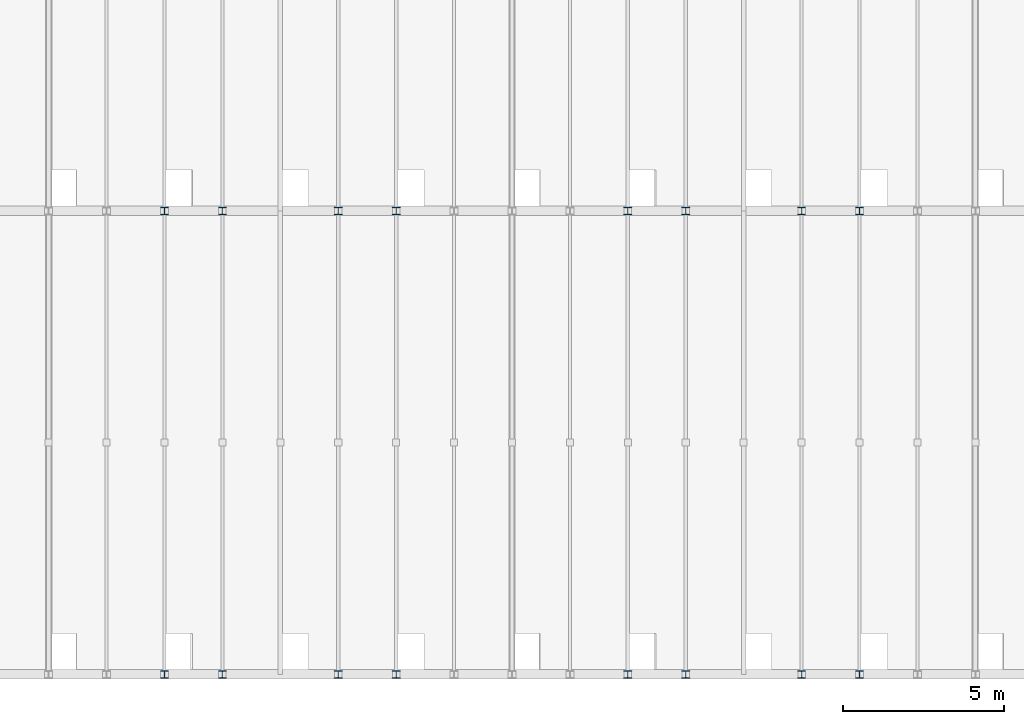
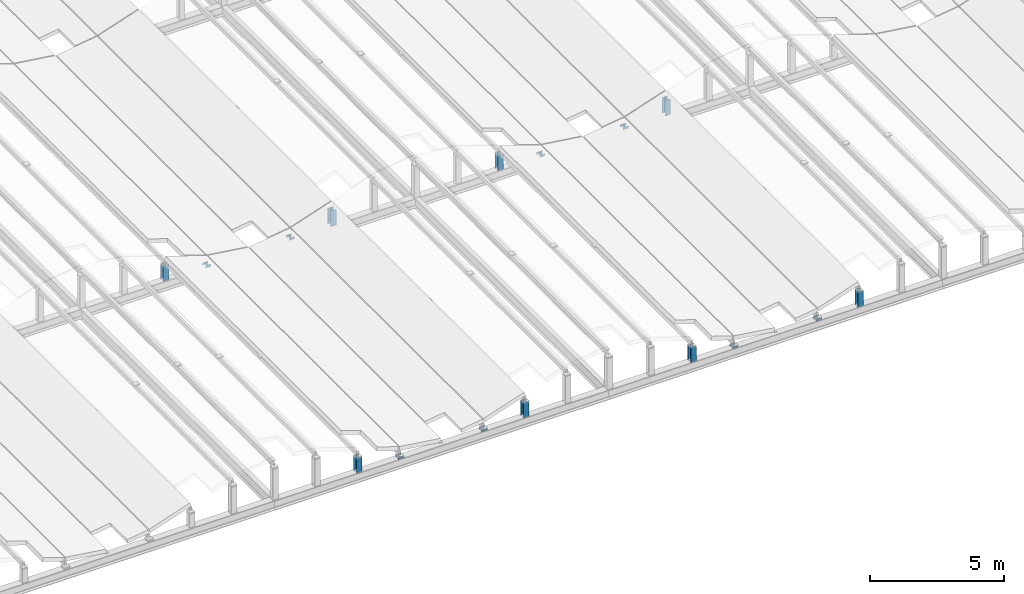
# One storey, part 44 of 83: 16 members.
"""IFC4 building model written with IfcOpenShell, lengths in metres."""

import ifcopenshell
import ifcopenshell.guid

model = None  # the IFC model being written
_history = None  # IfcOwnerHistory: only IFC2X3 demands one
_inside = {}  # id of a spatial element -> (the spatial element, [elements in it])
_under = {}  # id of a project, library or spatial element -> (it, [spatial elements below it])
_declared = {}  # id of a project -> (the project, [libraries it declares])
_typed = {}  # id of a type object -> (the type object, [elements of that type])
_made_of = {}  # id of a material, layer set ... -> (it, [elements and type objects made of it])


def new_model(schema):
    """Start an empty IFC model of exactly this schema.

    Asked for "IFC4X3", IfcOpenShell would pick the latest addendum, in which some entities
    have other attributes; the version numbers below select the first issue.
    IFC2X3 requires an IfcOwnerHistory on every rooted entity: one is made here for all.
    """
    global model, _history
    if schema == "IFC4X3":
        model = ifcopenshell.file(schema_version=(4, 3, 0, 0))
    else:
        model = ifcopenshell.file(schema=schema)
    _inside.clear()
    _under.clear()
    _declared.clear()
    _typed.clear()
    _made_of.clear()
    _history = None
    if model.schema == "IFC2X3":
        org = make("IfcOrganization", Name="unknown")
        user = make(
            "IfcPersonAndOrganization",
            ThePerson=make("IfcPerson", FamilyName="unknown"),
            TheOrganization=org,
        )
        app = make(
            "IfcApplication",
            ApplicationDeveloper=org,
            Version="unknown",
            ApplicationFullName="unknown",
            ApplicationIdentifier="unknown",
        )
        _history = make(
            "IfcOwnerHistory",
            OwningUser=user,
            OwningApplication=app,
            ChangeAction="ADDED",
            CreationDate=0,
        )
    return model


def make(cls, **values):
    """One entity of the class cls with the attributes given. An attribute that is None is left unset."""
    return model.create_entity(
        cls, **{name: value for name, value in values.items() if value is not None}
    )


def rooted(cls, **values):
    """An entity with a GlobalId (a new one), such as an element, a storey or a relation."""
    return make(cls, GlobalId=ifcopenshell.guid.new(), OwnerHistory=_history, **values)


def si_unit(unit_type, name, prefix=None):
    """IfcSIUnit, for example si_unit("LENGTHUNIT", "METRE", prefix="MILLI")."""
    return make("IfcSIUnit", UnitType=unit_type, Prefix=prefix, Name=name)


def assignment(units):
    """IfcUnitAssignment: the units of a project."""
    return None if units is None else make("IfcUnitAssignment", Units=units)


def point(xyz):
    """IfcCartesianPoint."""
    return None if xyz is None else make("IfcCartesianPoint", Coordinates=xyz)


def direction(xyz):
    """IfcDirection."""
    return None if xyz is None else make("IfcDirection", DirectionRatios=xyz)


def frame(location, z_axis=None, x_axis=None):
    """IfcAxis2Placement3D, a coordinate frame: its origin and axes. An axis left out is left unset."""
    return make(
        "IfcAxis2Placement3D",
        Location=point(location),
        Axis=direction(z_axis),
        RefDirection=direction(x_axis),
    )


def frame_2d(location, x_axis=None):
    """IfcAxis2Placement2D, a coordinate frame in the plane: its origin and x axis."""
    return make(
        "IfcAxis2Placement2D", Location=point(location), RefDirection=direction(x_axis)
    )


def origin():
    """The frame at (0, 0, 0) with its axes left unset."""
    return frame((0.0, 0.0, 0.0))


def origin_2d():
    """The frame at (0, 0) in the plane with its x axis left unset."""
    return frame_2d((0.0, 0.0))


def place(relative_to, where):
    """IfcLocalPlacement: puts the frame where relative to a parent placement (None: the world)."""
    return make(
        "IfcLocalPlacement", PlacementRelTo=relative_to, RelativePlacement=where
    )


def context(
    kind, dimensions, precision=None, world=None, true_north=None, identifier=None
):
    """IfcGeometricRepresentationContext, for example the 3D "Model" context."""
    return make(
        "IfcGeometricRepresentationContext",
        ContextIdentifier=identifier,
        ContextType=kind,
        CoordinateSpaceDimension=dimensions,
        Precision=precision,
        WorldCoordinateSystem=world,
        TrueNorth=true_north,
    )


def subcontext(parent, identifier, kind, view, scale=None):
    """IfcGeometricRepresentationSubContext, for example "Body" below "Model"."""
    return make(
        "IfcGeometricRepresentationSubContext",
        ContextIdentifier=identifier,
        ContextType=kind,
        ParentContext=parent,
        TargetScale=scale,
        TargetView=view,
    )


def project(units=None, contexts=None):
    """IfcProject with its units and contexts."""
    return rooted(
        "IfcProject",
        Name="project",
        RepresentationContexts=contexts,
        UnitsInContext=assignment(units),
    )


def spatial(cls, under=None, at=None, **own):
    """A site, building, storey or space (cls), placed at a placement, below another one or the project."""
    s = rooted(cls, ObjectPlacement=at, **own)
    if under is not None:
        _under.setdefault(under.id(), (under, []))[1].append(s)
    return s


def profile(cls, at=None, kind="AREA", **sizes):
    """A parametric profile (cls). Its sizes go by their IFC names, for example OverallWidth=200.0."""
    return make(cls, ProfileType=kind, Position=at, **sizes)


def i_section(**sizes):
    """IfcIShapeProfileDef."""
    return profile("IfcIShapeProfileDef", **sizes)


def extrude(swept, where, along, depth):
    """IfcExtrudedAreaSolid: the profile swept, set in the frame where, extruded along a direction by depth."""
    return make(
        "IfcExtrudedAreaSolid",
        SweptArea=swept,
        Position=where,
        ExtrudedDirection=direction(along),
        Depth=depth,
    )


def shape(context_of_items, identifier, shape_type, items):
    """IfcShapeRepresentation: the items that make up one representation, for example the "Body"."""
    return make(
        "IfcShapeRepresentation",
        ContextOfItems=context_of_items,
        RepresentationIdentifier=identifier,
        RepresentationType=shape_type,
        Items=items,
    )


def material(Name=None, Category=None):
    """IfcMaterial."""
    return make("IfcMaterial", Name=Name, Category=Category)


def material_profile(
    of_material, cross_section, Name=None, Category=None, Priority=None
):
    """IfcMaterialProfile: a cross section and its material."""
    return make(
        "IfcMaterialProfile",
        Name=Name,
        Material=of_material,
        Profile=cross_section,
        Priority=Priority,
        Category=Category,
    )


def profile_set(profiles, Name=None, composite=None):
    """IfcMaterialProfileSet."""
    return make(
        "IfcMaterialProfileSet",
        Name=Name,
        MaterialProfiles=profiles,
        CompositeProfile=composite,
    )


def made_of(thing, what):
    """Note that an element or type object is made of a material, layer set ...; save() writes the relation."""
    if what is not None:
        _made_of.setdefault(what.id(), (what, []))[1].append(thing)
    return thing


def type_object(cls, material=None, **own):
    """A type object (cls), such as IfcWallType, which elements share."""
    return made_of(rooted(cls, **own), material)


def element(
    cls,
    number,
    at=None,
    inside=None,
    cuts=None,
    type_object=None,
    material=None,
    context=None,
    identifier="Body",
    shape_type=None,
    held_by="IfcProductDefinitionShape",
    body=None,
    shapes=None,
    **own,
):
    """One element of the class cls, such as IfcWall. Its Tag is "e" and its number.

    at: its placement. inside: the storey or other place that contains it. cuts: it is an
    opening in that element (IfcRelVoidsElement). A single representation is given by context,
    identifier, shape_type and body (its items); several are given by shapes. held_by: the class
    of the entity that holds the representations. save() writes the other relations.
    """
    e = rooted(cls, Tag="e%d" % number, ObjectPlacement=at, **own)
    if body is not None:
        shapes = [shape(context, identifier, shape_type, body)]
    if shapes is not None:
        e.Representation = make(held_by, Representations=shapes)
    if inside is not None:
        _inside.setdefault(inside.id(), (inside, []))[1].append(e)
    if cuts is not None:
        rooted(
            "IfcRelVoidsElement", RelatingBuildingElement=cuts, RelatedOpeningElement=e
        )
    if type_object is not None:
        _typed.setdefault(type_object.id(), (type_object, []))[1].append(e)
    return made_of(e, material)


def aggregate(whole, parts):
    """IfcRelAggregates: a whole, such as a stair, and the parts it consists of."""
    return rooted("IfcRelAggregates", RelatingObject=whole, RelatedObjects=parts)


def save(model, path):
    """Write the relations noted so far, then the file.

    IfcRelAggregates (storeys below a building ...), IfcRelContainedInSpatialStructure (elements
    in a storey), IfcRelDefinesByType, IfcRelAssociatesMaterial and IfcRelDeclares: one each for
    every whole, place, type object, material and project.
    """
    for whole, parts in _under.values():
        aggregate(whole, parts)
    for where, things in _inside.values():
        rooted(
            "IfcRelContainedInSpatialStructure",
            RelatedElements=things,
            RelatingStructure=where,
        )
    for kind, things in _typed.values():
        rooted("IfcRelDefinesByType", RelatedObjects=things, RelatingType=kind)
    for what, things in _made_of.values():
        rooted("IfcRelAssociatesMaterial", RelatedObjects=things, RelatingMaterial=what)
    for by, libraries in _declared.values():
        rooted("IfcRelDeclares", RelatingContext=by, RelatedDefinitions=libraries)
    model.write(path)


model = new_model("IFC4")

# Units and contexts
model_context = context("Model", 3, precision=1e-05, world=origin(), true_north=direction((0.0, 1.0)))
body_context = subcontext(model_context, "Body", "Model", "MODEL_VIEW")
ifc_project = project(units=[si_unit("LENGTHUNIT", "METRE"), si_unit("AREAUNIT", "SQUARE_METRE"), si_unit("VOLUMEUNIT", "CUBIC_METRE"), si_unit("PLANEANGLEUNIT", "RADIAN"), si_unit("MASSUNIT", "GRAM", prefix="KILO")], contexts=[model_context])

# Site, building, storey
site_placement = place(None, origin())
site = spatial("IfcSite", under=ifc_project, at=site_placement, CompositionType="ELEMENT")
building_placement = place(site_placement, origin())
building = spatial("IfcBuilding", under=site, at=building_placement, Name="Leyfeld Transit Interchange", CompositionType="ELEMENT")
storey_placement = place(building_placement, frame((0.0, 0.0, 5.39990234375)))
storey = spatial("IfcBuildingStorey", under=building, at=storey_placement, Name="L01", CompositionType="ELEMENT", Elevation=5.39990234375)

# Members
ifc_material = material(Name="Steel S355J2", Category="steel")
ifc_material_profile = material_profile(ifc_material, i_section(OverallWidth=0.239990234375, OverallDepth=0.22998046875, WebThickness=0.007568359375, FlangeThickness=0.011962890625, FilletRadius=0.02099609375, at=origin_2d()), Name="HEA 240")
ifc_profile_set = profile_set([ifc_material_profile], Name="Steel S355J2")
member_type = type_object("IfcMemberType", Name="MEM-CHD-HEA240", PredefinedType="CHORD", material=ifc_profile_set)
member_1_placement = place(storey_placement, frame((133.199951171875, 0.0, 0.860107421875), z_axis=(0.0, 0.0, 1.0), x_axis=(1.0, 0.0, 0.0)))
element("IfcMember", 1, at=member_1_placement, inside=storey, type_object=member_type, Name="Wave Canopy Riser Post 120", PredefinedType="CHORD", context=body_context, shape_type="SweptSolid", body=[
    extrude(i_section(OverallWidth=0.239990234375, OverallDepth=0.22998046875, WebThickness=0.007568359375, FlangeThickness=0.011962890625, FilletRadius=0.02099609375, at=origin_2d()), origin(), (0.0, 0.0, 1.0), 0.696533203125),
])
member_2_placement = place(storey_placement, frame((133.199951171875, 14.39990234375, 0.860107421875), z_axis=(0.0, 0.0, 1.0), x_axis=(1.0, 0.0, 0.0)))
element("IfcMember", 2, at=member_2_placement, inside=storey, type_object=member_type, Name="Wave Canopy Riser Post 122", PredefinedType="CHORD", context=body_context, shape_type="SweptSolid", body=[
    extrude(i_section(OverallWidth=0.239990234375, OverallDepth=0.22998046875, WebThickness=0.007568359375, FlangeThickness=0.011962890625, FilletRadius=0.02099609375, at=origin_2d()), origin(), (0.0, 0.0, 1.0), 0.71240234375),
])
member_3_placement = place(storey_placement, frame((135.0, 0.0, 0.860107421875), z_axis=(0.0, 0.0, 1.0), x_axis=(1.0, 0.0, 0.0)))
element("IfcMember", 3, at=member_3_placement, inside=storey, type_object=member_type, Name="Wave Canopy Riser Post 127", PredefinedType="CHORD", context=body_context, shape_type="SweptSolid", body=[
    extrude(i_section(OverallWidth=0.239990234375, OverallDepth=0.22998046875, WebThickness=0.007568359375, FlangeThickness=0.011962890625, FilletRadius=0.02099609375, at=origin_2d()), origin(), (0.0, 0.0, 1.0), 0.0947265625),
])
member_4_placement = place(storey_placement, frame((135.0, 14.39990234375, 0.860107421875), z_axis=(0.0, 0.0, 1.0), x_axis=(1.0, 0.0, 0.0)))
element("IfcMember", 4, at=member_4_placement, inside=storey, type_object=member_type, Name="Wave Canopy Riser Post 129", PredefinedType="CHORD", context=body_context, shape_type="SweptSolid", body=[
    extrude(i_section(OverallWidth=0.239990234375, OverallDepth=0.22998046875, WebThickness=0.007568359375, FlangeThickness=0.011962890625, FilletRadius=0.02099609375, at=origin_2d()), origin(), (0.0, 0.0, 1.0), 0.110595703125),
])
member_5_placement = place(storey_placement, frame((138.60009765625, 0.0, 0.860107421875), z_axis=(0.0, 0.0, 1.0), x_axis=(1.0, 0.0, 0.0)))
element("IfcMember", 5, at=member_5_placement, inside=storey, type_object=member_type, Name="Wave Canopy Riser Post 137", PredefinedType="CHORD", context=body_context, shape_type="SweptSolid", body=[
    extrude(i_section(OverallWidth=0.239990234375, OverallDepth=0.22998046875, WebThickness=0.007568359375, FlangeThickness=0.011962890625, FilletRadius=0.02099609375, at=origin_2d()), origin(), (0.0, 0.0, 1.0), 0.0947265625),
])
member_6_placement = place(storey_placement, frame((138.60009765625, 14.39990234375, 0.860107421875), z_axis=(0.0, 0.0, 1.0), x_axis=(1.0, 0.0, 0.0)))
element("IfcMember", 6, at=member_6_placement, inside=storey, type_object=member_type, Name="Wave Canopy Riser Post 139", PredefinedType="CHORD", context=body_context, shape_type="SweptSolid", body=[
    extrude(i_section(OverallWidth=0.239990234375, OverallDepth=0.22998046875, WebThickness=0.007568359375, FlangeThickness=0.011962890625, FilletRadius=0.02099609375, at=origin_2d()), origin(), (0.0, 0.0, 1.0), 0.110595703125),
])
member_7_placement = place(storey_placement, frame((140.39990234375, 0.0, 0.860107421875), z_axis=(0.0, 0.0, 1.0), x_axis=(1.0, 0.0, 0.0)))
element("IfcMember", 7, at=member_7_placement, inside=storey, type_object=member_type, Name="Wave Canopy Riser Post 144", PredefinedType="CHORD", context=body_context, shape_type="SweptSolid", body=[
    extrude(i_section(OverallWidth=0.239990234375, OverallDepth=0.22998046875, WebThickness=0.007568359375, FlangeThickness=0.011962890625, FilletRadius=0.02099609375, at=origin_2d()), origin(), (0.0, 0.0, 1.0), 0.696533203125),
])
member_8_placement = place(storey_placement, frame((140.39990234375, 14.39990234375, 0.860107421875), z_axis=(0.0, 0.0, 1.0), x_axis=(1.0, 0.0, 0.0)))
element("IfcMember", 8, at=member_8_placement, inside=storey, type_object=member_type, Name="Wave Canopy Riser Post 146", PredefinedType="CHORD", context=body_context, shape_type="SweptSolid", body=[
    extrude(i_section(OverallWidth=0.239990234375, OverallDepth=0.22998046875, WebThickness=0.007568359375, FlangeThickness=0.011962890625, FilletRadius=0.02099609375, at=origin_2d()), origin(), (0.0, 0.0, 1.0), 0.71240234375),
])
member_9_placement = place(storey_placement, frame((147.60009765625, 0.0, 0.860107421875), z_axis=(0.0, 0.0, 1.0), x_axis=(1.0, 0.0, 0.0)))
element("IfcMember", 9, at=member_9_placement, inside=storey, type_object=member_type, Name="Wave Canopy Riser Post 172", PredefinedType="CHORD", context=body_context, shape_type="SweptSolid", body=[
    extrude(i_section(OverallWidth=0.239990234375, OverallDepth=0.22998046875, WebThickness=0.007568359375, FlangeThickness=0.011962890625, FilletRadius=0.02099609375, at=origin_2d()), origin(), (0.0, 0.0, 1.0), 0.696533203125),
])
member_10_placement = place(storey_placement, frame((147.60009765625, 14.39990234375, 0.860107421875), z_axis=(0.0, 0.0, 1.0), x_axis=(1.0, 0.0, 0.0)))
element("IfcMember", 10, at=member_10_placement, inside=storey, type_object=member_type, Name="Wave Canopy Riser Post 174", PredefinedType="CHORD", context=body_context, shape_type="SweptSolid", body=[
    extrude(i_section(OverallWidth=0.239990234375, OverallDepth=0.22998046875, WebThickness=0.007568359375, FlangeThickness=0.011962890625, FilletRadius=0.02099609375, at=origin_2d()), origin(), (0.0, 0.0, 1.0), 0.71240234375),
])
member_11_placement = place(storey_placement, frame((149.39990234375, 0.0, 0.860107421875), z_axis=(0.0, 0.0, 1.0), x_axis=(1.0, 0.0, 0.0)))
element("IfcMember", 11, at=member_11_placement, inside=storey, type_object=member_type, Name="Wave Canopy Riser Post 179", PredefinedType="CHORD", context=body_context, shape_type="SweptSolid", body=[
    extrude(i_section(OverallWidth=0.239990234375, OverallDepth=0.22998046875, WebThickness=0.007568359375, FlangeThickness=0.011962890625, FilletRadius=0.02099609375, at=origin_2d()), origin(), (0.0, 0.0, 1.0), 0.0947265625),
])
member_12_placement = place(storey_placement, frame((149.39990234375, 14.39990234375, 0.860107421875), z_axis=(0.0, 0.0, 1.0), x_axis=(1.0, 0.0, 0.0)))
element("IfcMember", 12, at=member_12_placement, inside=storey, type_object=member_type, Name="Wave Canopy Riser Post 181", PredefinedType="CHORD", context=body_context, shape_type="SweptSolid", body=[
    extrude(i_section(OverallWidth=0.239990234375, OverallDepth=0.22998046875, WebThickness=0.007568359375, FlangeThickness=0.011962890625, FilletRadius=0.02099609375, at=origin_2d()), origin(), (0.0, 0.0, 1.0), 0.110595703125),
])
member_13_placement = place(storey_placement, frame((153.0, 0.0, 0.860107421875), z_axis=(0.0, 0.0, 1.0), x_axis=(1.0, 0.0, 0.0)))
element("IfcMember", 13, at=member_13_placement, inside=storey, type_object=member_type, Name="Wave Canopy Riser Post 189", PredefinedType="CHORD", context=body_context, shape_type="SweptSolid", body=[
    extrude(i_section(OverallWidth=0.239990234375, OverallDepth=0.22998046875, WebThickness=0.007568359375, FlangeThickness=0.011962890625, FilletRadius=0.02099609375, at=origin_2d()), origin(), (0.0, 0.0, 1.0), 0.0947265625),
])
member_14_placement = place(storey_placement, frame((153.0, 14.39990234375, 0.860107421875), z_axis=(0.0, 0.0, 1.0), x_axis=(1.0, 0.0, 0.0)))
element("IfcMember", 14, at=member_14_placement, inside=storey, type_object=member_type, Name="Wave Canopy Riser Post 191", PredefinedType="CHORD", context=body_context, shape_type="SweptSolid", body=[
    extrude(i_section(OverallWidth=0.239990234375, OverallDepth=0.22998046875, WebThickness=0.007568359375, FlangeThickness=0.011962890625, FilletRadius=0.02099609375, at=origin_2d()), origin(), (0.0, 0.0, 1.0), 0.110595703125),
])
member_15_placement = place(storey_placement, frame((154.800048828125, 0.0, 0.860107421875), z_axis=(0.0, 0.0, 1.0), x_axis=(1.0, 0.0, 0.0)))
element("IfcMember", 15, at=member_15_placement, inside=storey, type_object=member_type, Name="Wave Canopy Riser Post 196", PredefinedType="CHORD", context=body_context, shape_type="SweptSolid", body=[
    extrude(i_section(OverallWidth=0.239990234375, OverallDepth=0.22998046875, WebThickness=0.007568359375, FlangeThickness=0.011962890625, FilletRadius=0.02099609375, at=origin_2d()), origin(), (0.0, 0.0, 1.0), 0.696533203125),
])
member_16_placement = place(storey_placement, frame((154.800048828125, 14.39990234375, 0.860107421875), z_axis=(0.0, 0.0, 1.0), x_axis=(1.0, 0.0, 0.0)))
element("IfcMember", 16, at=member_16_placement, inside=storey, type_object=member_type, Name="Wave Canopy Riser Post 198", PredefinedType="CHORD", context=body_context, shape_type="SweptSolid", body=[
    extrude(i_section(OverallWidth=0.239990234375, OverallDepth=0.22998046875, WebThickness=0.007568359375, FlangeThickness=0.011962890625, FilletRadius=0.02099609375, at=origin_2d()), origin(), (0.0, 0.0, 1.0), 0.71240234375),
])

save(model, "model.ifc")
